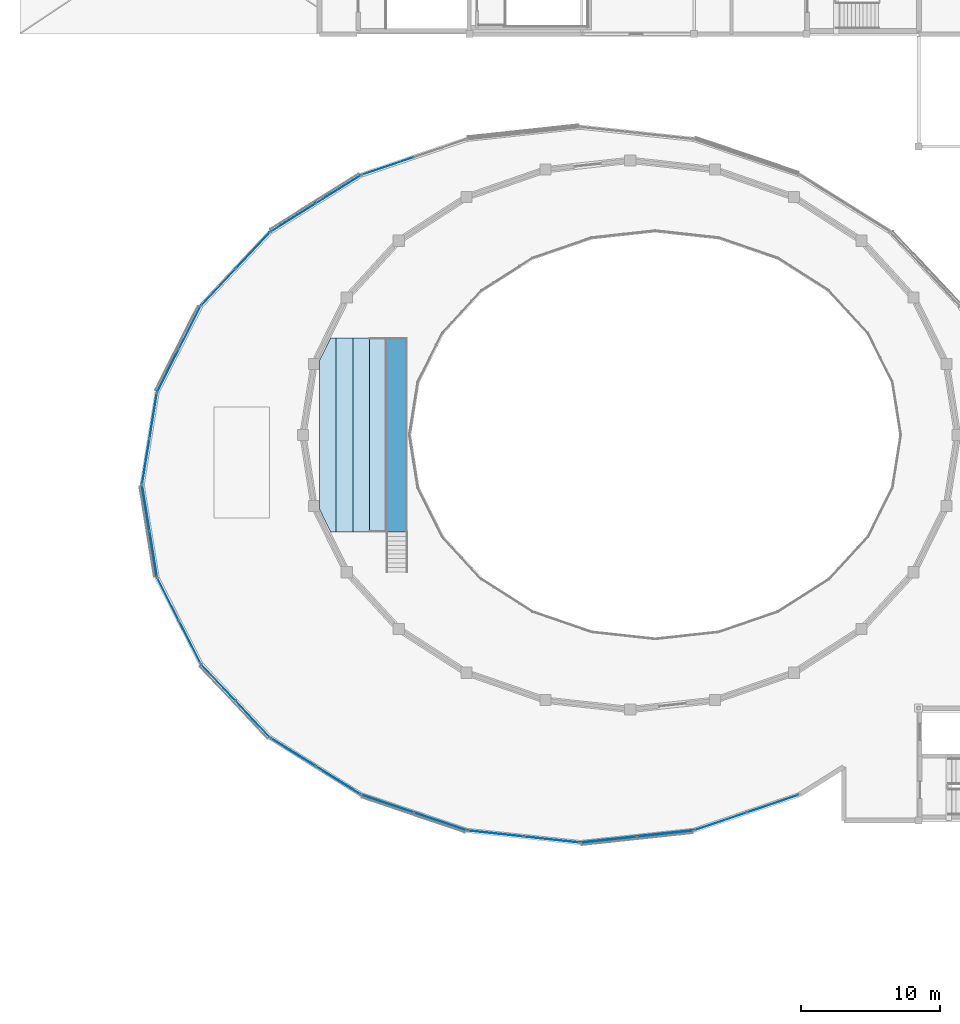
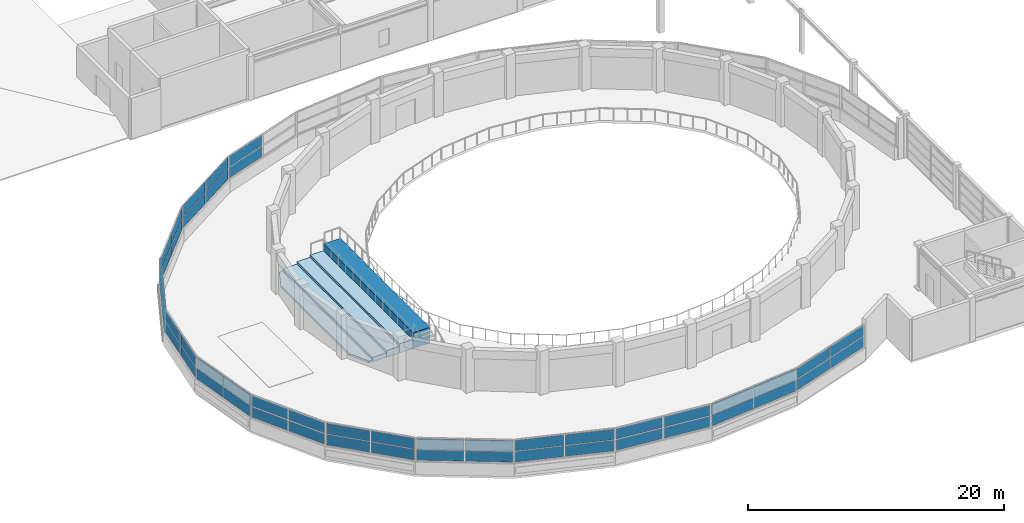
# One storey, part 35 of 54: 50 plates, 5 slabs, 13 elements without a shape of their own.
"""IFC4 building model written with IfcOpenShell, lengths in metres."""

import ifcopenshell
import ifcopenshell.guid

model = None  # the IFC model being written
_history = None  # IfcOwnerHistory: only IFC2X3 demands one
_inside = {}  # id of a spatial element -> (the spatial element, [elements in it])
_under = {}  # id of a project, library or spatial element -> (it, [spatial elements below it])
_declared = {}  # id of a project -> (the project, [libraries it declares])
_typed = {}  # id of a type object -> (the type object, [elements of that type])
_made_of = {}  # id of a material, layer set ... -> (it, [elements and type objects made of it])


def new_model(schema):
    """Start an empty IFC model of exactly this schema.

    Asked for "IFC4X3", IfcOpenShell would pick the latest addendum, in which some entities
    have other attributes; the version numbers below select the first issue.
    IFC2X3 requires an IfcOwnerHistory on every rooted entity: one is made here for all.
    """
    global model, _history
    if schema == "IFC4X3":
        model = ifcopenshell.file(schema_version=(4, 3, 0, 0))
    else:
        model = ifcopenshell.file(schema=schema)
    _inside.clear()
    _under.clear()
    _declared.clear()
    _typed.clear()
    _made_of.clear()
    _history = None
    if model.schema == "IFC2X3":
        org = make("IfcOrganization", Name="unknown")
        user = make(
            "IfcPersonAndOrganization",
            ThePerson=make("IfcPerson", FamilyName="unknown"),
            TheOrganization=org,
        )
        app = make(
            "IfcApplication",
            ApplicationDeveloper=org,
            Version="unknown",
            ApplicationFullName="unknown",
            ApplicationIdentifier="unknown",
        )
        _history = make(
            "IfcOwnerHistory",
            OwningUser=user,
            OwningApplication=app,
            ChangeAction="ADDED",
            CreationDate=0,
        )
    return model


def make(cls, **values):
    """One entity of the class cls with the attributes given. An attribute that is None is left unset."""
    return model.create_entity(
        cls, **{name: value for name, value in values.items() if value is not None}
    )


def rooted(cls, **values):
    """An entity with a GlobalId (a new one), such as an element, a storey or a relation."""
    return make(cls, GlobalId=ifcopenshell.guid.new(), OwnerHistory=_history, **values)


def si_unit(unit_type, name, prefix=None):
    """IfcSIUnit, for example si_unit("LENGTHUNIT", "METRE", prefix="MILLI")."""
    return make("IfcSIUnit", UnitType=unit_type, Prefix=prefix, Name=name)


def assignment(units):
    """IfcUnitAssignment: the units of a project."""
    return None if units is None else make("IfcUnitAssignment", Units=units)


def point(xyz):
    """IfcCartesianPoint."""
    return None if xyz is None else make("IfcCartesianPoint", Coordinates=xyz)


def direction(xyz):
    """IfcDirection."""
    return None if xyz is None else make("IfcDirection", DirectionRatios=xyz)


def frame(location, z_axis=None, x_axis=None):
    """IfcAxis2Placement3D, a coordinate frame: its origin and axes. An axis left out is left unset."""
    return make(
        "IfcAxis2Placement3D",
        Location=point(location),
        Axis=direction(z_axis),
        RefDirection=direction(x_axis),
    )


def frame_2d(location, x_axis=None):
    """IfcAxis2Placement2D, a coordinate frame in the plane: its origin and x axis."""
    return make(
        "IfcAxis2Placement2D", Location=point(location), RefDirection=direction(x_axis)
    )


def origin():
    """The frame at (0, 0, 0) with its axes left unset."""
    return frame((0.0, 0.0, 0.0))


def origin_2d():
    """The frame at (0, 0) in the plane with its x axis left unset."""
    return frame_2d((0.0, 0.0))


def place(relative_to, where):
    """IfcLocalPlacement: puts the frame where relative to a parent placement (None: the world)."""
    return make(
        "IfcLocalPlacement", PlacementRelTo=relative_to, RelativePlacement=where
    )


def context(
    kind, dimensions, precision=None, world=None, true_north=None, identifier=None
):
    """IfcGeometricRepresentationContext, for example the 3D "Model" context."""
    return make(
        "IfcGeometricRepresentationContext",
        ContextIdentifier=identifier,
        ContextType=kind,
        CoordinateSpaceDimension=dimensions,
        Precision=precision,
        WorldCoordinateSystem=world,
        TrueNorth=true_north,
    )


def subcontext(parent, identifier, kind, view, scale=None):
    """IfcGeometricRepresentationSubContext, for example "Body" below "Model"."""
    return make(
        "IfcGeometricRepresentationSubContext",
        ContextIdentifier=identifier,
        ContextType=kind,
        ParentContext=parent,
        TargetScale=scale,
        TargetView=view,
    )


def project(units=None, contexts=None):
    """IfcProject with its units and contexts."""
    return rooted(
        "IfcProject",
        Name="project",
        RepresentationContexts=contexts,
        UnitsInContext=assignment(units),
    )


def spatial(cls, under=None, at=None, **own):
    """A site, building, storey or space (cls), placed at a placement, below another one or the project."""
    s = rooted(cls, ObjectPlacement=at, **own)
    if under is not None:
        _under.setdefault(under.id(), (under, []))[1].append(s)
    return s


def polyline(points):
    """IfcPolyline through the points."""
    return make("IfcPolyline", Points=[point(p) for p in points])


def profile(cls, at=None, kind="AREA", **sizes):
    """A parametric profile (cls). Its sizes go by their IFC names, for example OverallWidth=200.0."""
    return make(cls, ProfileType=kind, Position=at, **sizes)


def rectangle(**sizes):
    """IfcRectangleProfileDef."""
    return profile("IfcRectangleProfileDef", **sizes)


def outline(outer, holes=None, kind="AREA"):
    """IfcArbitraryClosedProfileDef: a profile drawn as a closed curve; with holes, ...WithVoids."""
    if holes is None:
        return make("IfcArbitraryClosedProfileDef", ProfileType=kind, OuterCurve=outer)
    return make(
        "IfcArbitraryProfileDefWithVoids",
        ProfileType=kind,
        OuterCurve=outer,
        InnerCurves=holes,
    )


def extrude(swept, where, along, depth):
    """IfcExtrudedAreaSolid: the profile swept, set in the frame where, extruded along a direction by depth."""
    return make(
        "IfcExtrudedAreaSolid",
        SweptArea=swept,
        Position=where,
        ExtrudedDirection=direction(along),
        Depth=depth,
    )


def shape(context_of_items, identifier, shape_type, items):
    """IfcShapeRepresentation: the items that make up one representation, for example the "Body"."""
    return make(
        "IfcShapeRepresentation",
        ContextOfItems=context_of_items,
        RepresentationIdentifier=identifier,
        RepresentationType=shape_type,
        Items=items,
    )


def material(Name=None, Category=None):
    """IfcMaterial."""
    return make("IfcMaterial", Name=Name, Category=Category)


def layer(
    of_material, thickness, ventilated=None, Name=None, Category=None, Priority=None
):
    """IfcMaterialLayer: one layer of a wall or slab, of a material (None: an air gap)."""
    return make(
        "IfcMaterialLayer",
        Material=of_material,
        LayerThickness=thickness,
        IsVentilated=ventilated,
        Name=Name,
        Category=Category,
        Priority=Priority,
    )


def layer_set(layers, Name=None):
    """IfcMaterialLayerSet."""
    return make("IfcMaterialLayerSet", MaterialLayers=layers, LayerSetName=Name)


def made_of(thing, what):
    """Note that an element or type object is made of a material, layer set ...; save() writes the relation."""
    if what is not None:
        _made_of.setdefault(what.id(), (what, []))[1].append(thing)
    return thing


def type_object(cls, material=None, **own):
    """A type object (cls), such as IfcWallType, which elements share."""
    return made_of(rooted(cls, **own), material)


def element(
    cls,
    number,
    at=None,
    inside=None,
    cuts=None,
    type_object=None,
    material=None,
    context=None,
    identifier="Body",
    shape_type=None,
    held_by="IfcProductDefinitionShape",
    body=None,
    shapes=None,
    **own,
):
    """One element of the class cls, such as IfcWall. Its Tag is "e" and its number.

    at: its placement. inside: the storey or other place that contains it. cuts: it is an
    opening in that element (IfcRelVoidsElement). A single representation is given by context,
    identifier, shape_type and body (its items); several are given by shapes. held_by: the class
    of the entity that holds the representations. save() writes the other relations.
    """
    e = rooted(cls, Tag="e%d" % number, ObjectPlacement=at, **own)
    if body is not None:
        shapes = [shape(context, identifier, shape_type, body)]
    if shapes is not None:
        e.Representation = make(held_by, Representations=shapes)
    if inside is not None:
        _inside.setdefault(inside.id(), (inside, []))[1].append(e)
    if cuts is not None:
        rooted(
            "IfcRelVoidsElement", RelatingBuildingElement=cuts, RelatedOpeningElement=e
        )
    if type_object is not None:
        _typed.setdefault(type_object.id(), (type_object, []))[1].append(e)
    return made_of(e, material)


def aggregate(whole, parts):
    """IfcRelAggregates: a whole, such as a stair, and the parts it consists of."""
    return rooted("IfcRelAggregates", RelatingObject=whole, RelatedObjects=parts)


def save(model, path):
    """Write the relations noted so far, then the file.

    IfcRelAggregates (storeys below a building ...), IfcRelContainedInSpatialStructure (elements
    in a storey), IfcRelDefinesByType, IfcRelAssociatesMaterial and IfcRelDeclares: one each for
    every whole, place, type object, material and project.
    """
    for whole, parts in _under.values():
        aggregate(whole, parts)
    for where, things in _inside.values():
        rooted(
            "IfcRelContainedInSpatialStructure",
            RelatedElements=things,
            RelatingStructure=where,
        )
    for kind, things in _typed.values():
        rooted("IfcRelDefinesByType", RelatedObjects=things, RelatingType=kind)
    for what, things in _made_of.values():
        rooted("IfcRelAssociatesMaterial", RelatedObjects=things, RelatingMaterial=what)
    for by, libraries in _declared.values():
        rooted("IfcRelDeclares", RelatingContext=by, RelatedDefinitions=libraries)
    model.write(path)


model = new_model("IFC4")

# Units and contexts
model_context = context("Model", 3, precision=1e-05, world=origin(), true_north=direction((0.0, 1.0)))
body_context = subcontext(model_context, "Body", "Model", "MODEL_VIEW")
ifc_project = project(units=[si_unit("LENGTHUNIT", "METRE"), si_unit("AREAUNIT", "SQUARE_METRE"), si_unit("VOLUMEUNIT", "CUBIC_METRE"), si_unit("PLANEANGLEUNIT", "RADIAN"), si_unit("MASSUNIT", "GRAM", prefix="KILO")], contexts=[model_context])

# Site, building, storey
site_placement = place(None, origin())
site = spatial("IfcSite", under=ifc_project, at=site_placement, CompositionType="ELEMENT")
building_placement = place(site_placement, origin())
building = spatial("IfcBuilding", under=site, at=building_placement, Name="Parian Resonance Hall", CompositionType="ELEMENT")
storey_placement = place(building_placement, frame((0.0, 0.0, 15.0)))
storey = spatial("IfcBuildingStorey", under=building, at=storey_placement, Name="L03", CompositionType="ELEMENT", Elevation=15.0)

# Curtain wall, plates
ifc_material_1 = material(Name="Bronze-anodised aluminium frame", Category="aluminium")
curtain_wall_type_1 = type_object("IfcCurtainWallType", Name="CW-SYS-04", PredefinedType="NOTDEFINED", material=ifc_material_1)
curtain_wall_1_placement = place(storey_placement, origin())
curtain_wall_1 = element("IfcCurtainWall", 1, at=curtain_wall_1_placement, inside=storey, type_object=curtain_wall_type_1, Name="Elliptical R3 recessed strip curtain wall 08", PredefinedType="NOTDEFINED")
ifc_material_2 = material(Name="Acoustic laminated double glazing", Category="glass")
ifc_layer_1 = layer(ifc_material_2, 0.02197265625)
ifc_layer_set_1 = layer_set([ifc_layer_1], Name="Acoustic laminated double glazing")
plate_type_1 = type_object("IfcPlateType", Name="CWP-IGU22", PredefinedType="CURTAIN_PANEL", material=ifc_layer_set_1)
plate_1_placement = place(storey_placement, frame((26.523193359375, 63.393798828125, 1.266845703125), z_axis=(0.0, 0.0, 1.0), x_axis=(0.947295844239, 0.320360084104, 0.0)))
plate_1 = element("IfcPlate", 2, at=plate_1_placement, type_object=plate_type_1, Name="CW-04 panel 1.1", PredefinedType="CURTAIN_PANEL", context=body_context, shape_type="SweptSolid", body=[
    extrude(rectangle(XDim=3.91015625, YDim=0.02197265625, at=origin_2d()), origin(), (0.0, 0.0, 1.0), 0.99560546875),
])
plate_2_placement = place(storey_placement, frame((26.523193359375, 63.393798828125, 2.33740234375), z_axis=(0.0, 0.0, 1.0), x_axis=(0.947295844239, 0.320360084104, 0.0)))
plate_2 = element("IfcPlate", 3, at=plate_2_placement, type_object=plate_type_1, Name="CW-04 panel 1.2", PredefinedType="CURTAIN_PANEL", context=body_context, shape_type="SweptSolid", body=[
    extrude(rectangle(XDim=3.91015625, YDim=0.02197265625, at=origin_2d()), origin(), (0.0, 0.0, 1.0), 0.99755859375),
])
aggregate(curtain_wall_1, [plate_1, plate_2])

ifc_material_3 = material(Name="Bronze-anodised aluminium frame", Category="aluminium")
curtain_wall_type_2 = type_object("IfcCurtainWallType", Name="CW-SYS-01", PredefinedType="NOTDEFINED", material=ifc_material_3)
curtain_wall_2_placement = place(storey_placement, origin())
curtain_wall_2 = element("IfcCurtainWall", 4, at=curtain_wall_2_placement, inside=storey, type_object=curtain_wall_type_2, Name="Elliptical R3 recessed strip curtain wall 11", PredefinedType="NOTDEFINED")
plate_3_placement = place(storey_placement, frame((10.67333984375, 48.647705078125, 1.2568359375), z_axis=(0.0, 0.0, 1.0), x_axis=(0.452439903839, 0.891794894252, 0.0)))
plate_3 = element("IfcPlate", 5, at=plate_3_placement, type_object=plate_type_1, Name="CW-01 panel 1.1", PredefinedType="CURTAIN_PANEL", context=body_context, shape_type="SweptSolid", body=[
    extrude(rectangle(XDim=3.391357421875, YDim=0.02197265625, at=origin_2d()), origin(), (0.0, 0.0, 1.0), 1.010498046875),
])
plate_4_placement = place(storey_placement, frame((10.67333984375, 48.647705078125, 2.33251953125), z_axis=(0.0, 0.0, 1.0), x_axis=(0.452439903839, 0.891794894252, 0.0)))
plate_4 = element("IfcPlate", 6, at=plate_4_placement, type_object=plate_type_1, Name="CW-01 panel 1.2", PredefinedType="CURTAIN_PANEL", context=body_context, shape_type="SweptSolid", body=[
    extrude(rectangle(XDim=3.391357421875, YDim=0.02197265625, at=origin_2d()), origin(), (0.0, 0.0, 1.0), 1.012451171875),
])
plate_5_placement = place(storey_placement, frame((12.237060546875, 51.72998046875, 1.2568359375), z_axis=(0.0, 0.0, 1.0), x_axis=(0.452439903839, 0.891794894252, 0.0)))
plate_5 = element("IfcPlate", 7, at=plate_5_placement, type_object=plate_type_1, Name="CW-01 panel 2.1", PredefinedType="CURTAIN_PANEL", context=body_context, shape_type="SweptSolid", body=[
    extrude(rectangle(XDim=3.391357421875, YDim=0.02197265625, at=origin_2d()), origin(), (0.0, 0.0, 1.0), 1.010498046875),
])
plate_6_placement = place(storey_placement, frame((12.237060546875, 51.72998046875, 2.33251953125), z_axis=(0.0, 0.0, 1.0), x_axis=(0.452439903839, 0.891794894252, 0.0)))
plate_6 = element("IfcPlate", 8, at=plate_6_placement, type_object=plate_type_1, Name="CW-01 panel 2.2", PredefinedType="CURTAIN_PANEL", context=body_context, shape_type="SweptSolid", body=[
    extrude(rectangle(XDim=3.391357421875, YDim=0.02197265625, at=origin_2d()), origin(), (0.0, 0.0, 1.0), 1.012451171875),
])
aggregate(curtain_wall_2, [plate_3, plate_4, plate_5, plate_6])

curtain_wall_3_placement = place(storey_placement, origin())
curtain_wall_3 = element("IfcCurtainWall", 9, at=curtain_wall_3_placement, inside=storey, type_object=curtain_wall_type_1, Name="Elliptical R3 recessed strip curtain wall 14", PredefinedType="NOTDEFINED")
plate_7_placement = place(storey_placement, frame((12.23583984375, 29.072265625, 1.266845703125), z_axis=(0.0, 0.0, 1.0), x_axis=(-0.452439903839, 0.891794894252, 0.0)))
plate_7 = element("IfcPlate", 10, at=plate_7_placement, type_object=plate_type_1, Name="CW-04 panel 1.1", PredefinedType="CURTAIN_PANEL", context=body_context, shape_type="SweptSolid", body=[
    extrude(rectangle(XDim=3.376220703125, YDim=0.02197265625, at=origin_2d()), origin(), (0.0, 0.0, 1.0), 0.99560546875),
])
plate_8_placement = place(storey_placement, frame((12.23583984375, 29.072265625, 2.33740234375), z_axis=(0.0, 0.0, 1.0), x_axis=(-0.452439903839, 0.891794894252, 0.0)))
plate_8 = element("IfcPlate", 11, at=plate_8_placement, type_object=plate_type_1, Name="CW-04 panel 1.2", PredefinedType="CURTAIN_PANEL", context=body_context, shape_type="SweptSolid", body=[
    extrude(rectangle(XDim=3.376220703125, YDim=0.02197265625, at=origin_2d()), origin(), (0.0, 0.0, 1.0), 0.99755859375),
])
plate_9_placement = place(storey_placement, frame((10.67431640625, 32.150146484375, 1.266845703125), z_axis=(0.0, 0.0, 1.0), x_axis=(-0.452439903839, 0.891794894252, 0.0)))
plate_9 = element("IfcPlate", 12, at=plate_9_placement, type_object=plate_type_1, Name="CW-04 panel 2.1", PredefinedType="CURTAIN_PANEL", context=body_context, shape_type="SweptSolid", body=[
    extrude(rectangle(XDim=3.376220703125, YDim=0.02197265625, at=origin_2d()), origin(), (0.0, 0.0, 1.0), 0.99560546875),
])
plate_10_placement = place(storey_placement, frame((10.67431640625, 32.150146484375, 2.33740234375), z_axis=(0.0, 0.0, 1.0), x_axis=(-0.452439903839, 0.891794894252, 0.0)))
plate_10 = element("IfcPlate", 13, at=plate_10_placement, type_object=plate_type_1, Name="CW-04 panel 2.2", PredefinedType="CURTAIN_PANEL", context=body_context, shape_type="SweptSolid", body=[
    extrude(rectangle(XDim=3.376220703125, YDim=0.02197265625, at=origin_2d()), origin(), (0.0, 0.0, 1.0), 0.99755859375),
])
aggregate(curtain_wall_3, [plate_7, plate_8, plate_9, plate_10])

curtain_wall_4_placement = place(storey_placement, origin())
curtain_wall_4 = element("IfcCurtainWall", 14, at=curtain_wall_4_placement, inside=storey, type_object=curtain_wall_type_2, Name="Elliptical R3 recessed strip curtain wall 17", PredefinedType="NOTDEFINED")
plate_11_placement = place(storey_placement, frame((30.300537109375, 16.128662109375, 1.2568359375), z_axis=(0.0, 0.0, 1.0), x_axis=(-0.947295844239, 0.320360084104, 0.0)))
plate_11 = element("IfcPlate", 15, at=plate_11_placement, type_object=plate_type_1, Name="CW-01 panel 1.1", PredefinedType="CURTAIN_PANEL", context=body_context, shape_type="SweptSolid", body=[
    extrude(rectangle(XDim=3.925048828125, YDim=0.02197265625, at=origin_2d()), origin(), (0.0, 0.0, 1.0), 1.010498046875),
])
plate_12_placement = place(storey_placement, frame((30.300537109375, 16.128662109375, 2.33251953125), z_axis=(0.0, 0.0, 1.0), x_axis=(-0.947295844239, 0.320360084104, 0.0)))
plate_12 = element("IfcPlate", 16, at=plate_12_placement, type_object=plate_type_1, Name="CW-01 panel 1.2", PredefinedType="CURTAIN_PANEL", context=body_context, shape_type="SweptSolid", body=[
    extrude(rectangle(XDim=3.925048828125, YDim=0.02197265625, at=origin_2d()), origin(), (0.0, 0.0, 1.0), 1.012451171875),
])
plate_13_placement = place(storey_placement, frame((26.520751953125, 17.406982421875, 1.2568359375), z_axis=(0.0, 0.0, 1.0), x_axis=(-0.947295844239, 0.320360084104, 0.0)))
plate_13 = element("IfcPlate", 17, at=plate_13_placement, type_object=plate_type_1, Name="CW-01 panel 2.1", PredefinedType="CURTAIN_PANEL", context=body_context, shape_type="SweptSolid", body=[
    extrude(rectangle(XDim=3.925048828125, YDim=0.02197265625, at=origin_2d()), origin(), (0.0, 0.0, 1.0), 1.010498046875),
])
plate_14_placement = place(storey_placement, frame((26.520751953125, 17.406982421875, 2.33251953125), z_axis=(0.0, 0.0, 1.0), x_axis=(-0.947295844239, 0.320360084104, 0.0)))
plate_14 = element("IfcPlate", 18, at=plate_14_placement, type_object=plate_type_1, Name="CW-01 panel 2.2", PredefinedType="CURTAIN_PANEL", context=body_context, shape_type="SweptSolid", body=[
    extrude(rectangle(XDim=3.925048828125, YDim=0.02197265625, at=origin_2d()), origin(), (0.0, 0.0, 1.0), 1.012451171875),
])
aggregate(curtain_wall_4, [plate_11, plate_12, plate_13, plate_14])

curtain_wall_5_placement = place(storey_placement, origin())
curtain_wall_5 = element("IfcCurtainWall", 19, at=curtain_wall_5_placement, inside=storey, type_object=curtain_wall_type_1, Name="Elliptical R3 recessed strip curtain wall 20", PredefinedType="NOTDEFINED")
plate_15_placement = place(storey_placement, frame((54.27685546875, 17.40625, 1.266845703125), z_axis=(0.0, 0.0, 1.0), x_axis=(-0.947295844239, -0.320360084104, 0.0)))
plate_15 = element("IfcPlate", 20, at=plate_15_placement, type_object=plate_type_1, Name="CW-04 panel 1.1", PredefinedType="CURTAIN_PANEL", context=body_context, shape_type="SweptSolid", body=[
    extrude(rectangle(XDim=3.91015625, YDim=0.02197265625, at=origin_2d()), origin(), (0.0, 0.0, 1.0), 0.99560546875),
])
plate_16_placement = place(storey_placement, frame((54.27685546875, 17.40625, 2.33740234375), z_axis=(0.0, 0.0, 1.0), x_axis=(-0.947295844239, -0.320360084104, 0.0)))
plate_16 = element("IfcPlate", 21, at=plate_16_placement, type_object=plate_type_1, Name="CW-04 panel 1.2", PredefinedType="CURTAIN_PANEL", context=body_context, shape_type="SweptSolid", body=[
    extrude(rectangle(XDim=3.91015625, YDim=0.02197265625, at=origin_2d()), origin(), (0.0, 0.0, 1.0), 0.99755859375),
])
plate_17_placement = place(storey_placement, frame((50.501708984375, 16.12939453125, 1.266845703125), z_axis=(0.0, 0.0, 1.0), x_axis=(-0.947295844239, -0.320360084104, 0.0)))
plate_17 = element("IfcPlate", 22, at=plate_17_placement, type_object=plate_type_1, Name="CW-04 panel 2.1", PredefinedType="CURTAIN_PANEL", context=body_context, shape_type="SweptSolid", body=[
    extrude(rectangle(XDim=3.91015625, YDim=0.02197265625, at=origin_2d()), origin(), (0.0, 0.0, 1.0), 0.99560546875),
])
plate_18_placement = place(storey_placement, frame((50.501708984375, 16.12939453125, 2.33740234375), z_axis=(0.0, 0.0, 1.0), x_axis=(-0.947295844239, -0.320360084104, 0.0)))
plate_18 = element("IfcPlate", 23, at=plate_18_placement, type_object=plate_type_1, Name="CW-04 panel 2.2", PredefinedType="CURTAIN_PANEL", context=body_context, shape_type="SweptSolid", body=[
    extrude(rectangle(XDim=3.91015625, YDim=0.02197265625, at=origin_2d()), origin(), (0.0, 0.0, 1.0), 0.99755859375),
])
aggregate(curtain_wall_5, [plate_15, plate_16, plate_17, plate_18])

ifc_material_4 = material(Name="Bronze-anodised aluminium frame", Category="aluminium")
curtain_wall_type_3 = type_object("IfcCurtainWallType", Name="CW-SYS-05", PredefinedType="NOTDEFINED", material=ifc_material_4)
curtain_wall_6_placement = place(storey_placement, origin())
curtain_wall_6 = element("IfcCurtainWall", 24, at=curtain_wall_6_placement, inside=storey, type_object=curtain_wall_type_3, Name="Elliptical R3 recessed strip curtain wall 09", PredefinedType="NOTDEFINED")
ifc_material_5 = material(Name="Acoustic laminated double glazing", Category="glass")
ifc_layer_2 = layer(ifc_material_5, 0.031982421875)
ifc_layer_set_2 = layer_set([ifc_layer_2], Name="Acoustic laminated double glazing")
plate_type_2 = type_object("IfcPlateType", Name="CWP-IGU32", PredefinedType="CURTAIN_PANEL", material=ifc_layer_set_2)
plate_19_placement = place(storey_placement, frame((19.705322265625, 59.677001953125, 1.2568359375), z_axis=(0.0, 0.0, 1.0), x_axis=(0.847431866337, 0.530904164532, 0.0)))
plate_19 = element("IfcPlate", 25, at=plate_19_placement, type_object=plate_type_2, Name="CW-05 panel 1.1", PredefinedType="CURTAIN_PANEL", context=body_context, shape_type="SweptSolid", body=[
    extrude(rectangle(XDim=3.763916015625, YDim=0.031982421875, at=origin_2d()), origin(), (0.0, 0.0, 1.0), 1.010498046875),
])
plate_20_placement = place(storey_placement, frame((19.705322265625, 59.677001953125, 2.33251953125), z_axis=(0.0, 0.0, 1.0), x_axis=(0.847431866337, 0.530904164532, 0.0)))
plate_20 = element("IfcPlate", 26, at=plate_20_placement, type_object=plate_type_2, Name="CW-05 panel 1.2", PredefinedType="CURTAIN_PANEL", context=body_context, shape_type="SweptSolid", body=[
    extrude(rectangle(XDim=3.763916015625, YDim=0.031982421875, at=origin_2d()), origin(), (0.0, 0.0, 1.0), 1.012451171875),
])
plate_21_placement = place(storey_placement, frame((22.9501953125, 61.7099609375, 1.2568359375), z_axis=(0.0, 0.0, 1.0), x_axis=(0.847431866337, 0.530904164532, 0.0)))
plate_21 = element("IfcPlate", 27, at=plate_21_placement, type_object=plate_type_2, Name="CW-05 panel 2.1", PredefinedType="CURTAIN_PANEL", context=body_context, shape_type="SweptSolid", body=[
    extrude(rectangle(XDim=3.763916015625, YDim=0.031982421875, at=origin_2d()), origin(), (0.0, 0.0, 1.0), 1.010498046875),
])
plate_22_placement = place(storey_placement, frame((22.9501953125, 61.7099609375, 2.33251953125), z_axis=(0.0, 0.0, 1.0), x_axis=(0.847431866337, 0.530904164532, 0.0)))
plate_22 = element("IfcPlate", 28, at=plate_22_placement, type_object=plate_type_2, Name="CW-05 panel 2.2", PredefinedType="CURTAIN_PANEL", context=body_context, shape_type="SweptSolid", body=[
    extrude(rectangle(XDim=3.763916015625, YDim=0.031982421875, at=origin_2d()), origin(), (0.0, 0.0, 1.0), 1.012451171875),
])
aggregate(curtain_wall_6, [plate_19, plate_20, plate_21, plate_22])

ifc_material_6 = material(Name="Bronze-anodised aluminium frame", Category="aluminium")
curtain_wall_type_4 = type_object("IfcCurtainWallType", Name="CW-SYS-02", PredefinedType="NOTDEFINED", material=ifc_material_6)
curtain_wall_7_placement = place(storey_placement, origin())
curtain_wall_7 = element("IfcCurtainWall", 29, at=curtain_wall_7_placement, inside=storey, type_object=curtain_wall_type_4, Name="Elliptical R3 recessed strip curtain wall 12", PredefinedType="NOTDEFINED")
plate_23_placement = place(storey_placement, frame((9.072265625, 42.087890625, 1.266845703125), z_axis=(0.0, 0.0, 1.0), x_axis=(0.159186884981, 0.987248467028, 0.0)))
plate_23 = element("IfcPlate", 30, at=plate_23_placement, type_object=plate_type_2, Name="CW-02 panel 1.1", PredefinedType="CURTAIN_PANEL", context=body_context, shape_type="SweptSolid", body=[
    extrude(rectangle(XDim=3.269287109375, YDim=0.031982421875, at=origin_2d()), origin(), (0.0, 0.0, 1.0), 0.99560546875),
])
plate_24_placement = place(storey_placement, frame((9.072265625, 42.087890625, 2.33740234375), z_axis=(0.0, 0.0, 1.0), x_axis=(0.159186884981, 0.987248467028, 0.0)))
plate_24 = element("IfcPlate", 31, at=plate_24_placement, type_object=plate_type_2, Name="CW-02 panel 1.2", PredefinedType="CURTAIN_PANEL", context=body_context, shape_type="SweptSolid", body=[
    extrude(rectangle(XDim=3.269287109375, YDim=0.031982421875, at=origin_2d()), origin(), (0.0, 0.0, 1.0), 0.99755859375),
])
plate_25_placement = place(storey_placement, frame((9.6044921875, 45.3896484375, 1.266845703125), z_axis=(0.0, 0.0, 1.0), x_axis=(0.159186884981, 0.987248467028, 0.0)))
plate_25 = element("IfcPlate", 32, at=plate_25_placement, type_object=plate_type_2, Name="CW-02 panel 2.1", PredefinedType="CURTAIN_PANEL", context=body_context, shape_type="SweptSolid", body=[
    extrude(rectangle(XDim=3.269287109375, YDim=0.031982421875, at=origin_2d()), origin(), (0.0, 0.0, 1.0), 0.99560546875),
])
plate_26_placement = place(storey_placement, frame((9.6044921875, 45.3896484375, 2.33740234375), z_axis=(0.0, 0.0, 1.0), x_axis=(0.159186884981, 0.987248467028, 0.0)))
plate_26 = element("IfcPlate", 33, at=plate_26_placement, type_object=plate_type_2, Name="CW-02 panel 2.2", PredefinedType="CURTAIN_PANEL", context=body_context, shape_type="SweptSolid", body=[
    extrude(rectangle(XDim=3.269287109375, YDim=0.031982421875, at=origin_2d()), origin(), (0.0, 0.0, 1.0), 0.99755859375),
])
aggregate(curtain_wall_7, [plate_23, plate_24, plate_25, plate_26])

curtain_wall_8_placement = place(storey_placement, origin())
curtain_wall_8 = element("IfcCurtainWall", 34, at=curtain_wall_8_placement, inside=storey, type_object=curtain_wall_type_3, Name="Elliptical R3 recessed strip curtain wall 15", PredefinedType="NOTDEFINED")
plate_27_placement = place(storey_placement, frame((16.788818359375, 23.50439453125, 1.2568359375), z_axis=(0.0, 0.0, 1.0), x_axis=(-0.684837894829, 0.728695449283, 0.0)))
plate_27 = element("IfcPlate", 35, at=plate_27_placement, type_object=plate_type_2, Name="CW-05 panel 1.1", PredefinedType="CURTAIN_PANEL", context=body_context, shape_type="SweptSolid", body=[
    extrude(rectangle(XDim=3.56884765625, YDim=0.031982421875, at=origin_2d()), origin(), (0.0, 0.0, 1.0), 1.010498046875),
])
plate_28_placement = place(storey_placement, frame((16.788818359375, 23.50439453125, 2.33251953125), z_axis=(0.0, 0.0, 1.0), x_axis=(-0.684837894829, 0.728695449283, 0.0)))
plate_28 = element("IfcPlate", 36, at=plate_28_placement, type_object=plate_type_2, Name="CW-05 panel 1.2", PredefinedType="CURTAIN_PANEL", context=body_context, shape_type="SweptSolid", body=[
    extrude(rectangle(XDim=3.56884765625, YDim=0.031982421875, at=origin_2d()), origin(), (0.0, 0.0, 1.0), 1.012451171875),
])
plate_29_placement = place(storey_placement, frame((14.30029296875, 26.15234375, 1.2568359375), z_axis=(0.0, 0.0, 1.0), x_axis=(-0.684837894829, 0.728695449283, 0.0)))
plate_29 = element("IfcPlate", 37, at=plate_29_placement, type_object=plate_type_2, Name="CW-05 panel 2.1", PredefinedType="CURTAIN_PANEL", context=body_context, shape_type="SweptSolid", body=[
    extrude(rectangle(XDim=3.56884765625, YDim=0.031982421875, at=origin_2d()), origin(), (0.0, 0.0, 1.0), 1.010498046875),
])
plate_30_placement = place(storey_placement, frame((14.30029296875, 26.15234375, 2.33251953125), z_axis=(0.0, 0.0, 1.0), x_axis=(-0.684837894829, 0.728695449283, 0.0)))
plate_30 = element("IfcPlate", 38, at=plate_30_placement, type_object=plate_type_2, Name="CW-05 panel 2.2", PredefinedType="CURTAIN_PANEL", context=body_context, shape_type="SweptSolid", body=[
    extrude(rectangle(XDim=3.56884765625, YDim=0.031982421875, at=origin_2d()), origin(), (0.0, 0.0, 1.0), 1.012451171875),
])
aggregate(curtain_wall_8, [plate_27, plate_28, plate_29, plate_30])

curtain_wall_9_placement = place(storey_placement, origin())
curtain_wall_9 = element("IfcCurtainWall", 39, at=curtain_wall_9_placement, inside=storey, type_object=curtain_wall_type_4, Name="Elliptical R3 recessed strip curtain wall 18", PredefinedType="NOTDEFINED")
plate_31_placement = place(storey_placement, frame((38.336669921875, 14.82177734375, 1.266845703125), z_axis=(0.0, 0.0, 1.0), x_axis=(-0.994272901904, 0.106870934025, 0.0)))
plate_31 = element("IfcPlate", 40, at=plate_31_placement, type_object=plate_type_2, Name="CW-02 panel 1.1", PredefinedType="CURTAIN_PANEL", context=body_context, shape_type="SweptSolid", body=[
    extrude(rectangle(XDim=4.00048828125, YDim=0.031982421875, at=origin_2d()), origin(), (0.0, 0.0, 1.0), 0.99560546875),
])
plate_32_placement = place(storey_placement, frame((38.336669921875, 14.82177734375, 2.33740234375), z_axis=(0.0, 0.0, 1.0), x_axis=(-0.994272901904, 0.106870934025, 0.0)))
plate_32 = element("IfcPlate", 41, at=plate_32_placement, type_object=plate_type_2, Name="CW-02 panel 1.2", PredefinedType="CURTAIN_PANEL", context=body_context, shape_type="SweptSolid", body=[
    extrude(rectangle(XDim=4.00048828125, YDim=0.031982421875, at=origin_2d()), origin(), (0.0, 0.0, 1.0), 0.99755859375),
])
plate_33_placement = place(storey_placement, frame((34.28466796875, 15.25732421875, 1.266845703125), z_axis=(0.0, 0.0, 1.0), x_axis=(-0.994272901904, 0.106870934025, 0.0)))
plate_33 = element("IfcPlate", 42, at=plate_33_placement, type_object=plate_type_2, Name="CW-02 panel 2.1", PredefinedType="CURTAIN_PANEL", context=body_context, shape_type="SweptSolid", body=[
    extrude(rectangle(XDim=4.00048828125, YDim=0.031982421875, at=origin_2d()), origin(), (0.0, 0.0, 1.0), 0.99560546875),
])
plate_34_placement = place(storey_placement, frame((34.28466796875, 15.25732421875, 2.33740234375), z_axis=(0.0, 0.0, 1.0), x_axis=(-0.994272901904, 0.106870934025, 0.0)))
plate_34 = element("IfcPlate", 43, at=plate_34_placement, type_object=plate_type_2, Name="CW-02 panel 2.2", PredefinedType="CURTAIN_PANEL", context=body_context, shape_type="SweptSolid", body=[
    extrude(rectangle(XDim=4.00048828125, YDim=0.031982421875, at=origin_2d()), origin(), (0.0, 0.0, 1.0), 0.99755859375),
])
aggregate(curtain_wall_9, [plate_31, plate_32, plate_33, plate_34])

ifc_material_7 = material(Name="Bronze-anodised aluminium frame", Category="aluminium")
curtain_wall_type_5 = type_object("IfcCurtainWallType", Name="CW-SYS-06", PredefinedType="NOTDEFINED", material=ifc_material_7)
curtain_wall_10_placement = place(storey_placement, origin())
curtain_wall_10 = element("IfcCurtainWall", 44, at=curtain_wall_10_placement, inside=storey, type_object=curtain_wall_type_5, Name="Elliptical R3 recessed strip curtain wall 10", PredefinedType="NOTDEFINED")
ifc_material_8 = material(Name="Acoustic laminated double glazing", Category="glass")
ifc_layer_3 = layer(ifc_material_8, 0.0419921875)
ifc_layer_set_3 = layer_set([ifc_layer_3], Name="Acoustic laminated double glazing")
plate_type_3 = type_object("IfcPlateType", Name="CWP-IGU42", PredefinedType="CURTAIN_PANEL", material=ifc_layer_set_3)
plate_35_placement = place(storey_placement, frame((14.302001953125, 54.6494140625, 1.266845703125), z_axis=(0.0, 0.0, 1.0), x_axis=(0.684837894829, 0.728695449283, 0.0)))
plate_35 = element("IfcPlate", 45, at=plate_35_placement, type_object=plate_type_3, Name="CW-06 panel 1.1", PredefinedType="CURTAIN_PANEL", context=body_context, shape_type="SweptSolid", body=[
    extrude(rectangle(XDim=3.553955078125, YDim=0.0419921875, at=origin_2d()), origin(), (0.0, 0.0, 1.0), 0.99560546875),
])
plate_36_placement = place(storey_placement, frame((14.302001953125, 54.6494140625, 2.33740234375), z_axis=(0.0, 0.0, 1.0), x_axis=(0.684837894829, 0.728695449283, 0.0)))
plate_36 = element("IfcPlate", 46, at=plate_36_placement, type_object=plate_type_3, Name="CW-06 panel 1.2", PredefinedType="CURTAIN_PANEL", context=body_context, shape_type="SweptSolid", body=[
    extrude(rectangle(XDim=3.553955078125, YDim=0.0419921875, at=origin_2d()), origin(), (0.0, 0.0, 1.0), 0.99755859375),
])
plate_37_placement = place(storey_placement, frame((16.787109375, 57.2939453125, 1.266845703125), z_axis=(0.0, 0.0, 1.0), x_axis=(0.684837894829, 0.728695449283, 0.0)))
plate_37 = element("IfcPlate", 47, at=plate_37_placement, type_object=plate_type_3, Name="CW-06 panel 2.1", PredefinedType="CURTAIN_PANEL", context=body_context, shape_type="SweptSolid", body=[
    extrude(rectangle(XDim=3.553955078125, YDim=0.0419921875, at=origin_2d()), origin(), (0.0, 0.0, 1.0), 0.99560546875),
])
plate_38_placement = place(storey_placement, frame((16.787109375, 57.2939453125, 2.33740234375), z_axis=(0.0, 0.0, 1.0), x_axis=(0.684837894829, 0.728695449283, 0.0)))
plate_38 = element("IfcPlate", 48, at=plate_38_placement, type_object=plate_type_3, Name="CW-06 panel 2.2", PredefinedType="CURTAIN_PANEL", context=body_context, shape_type="SweptSolid", body=[
    extrude(rectangle(XDim=3.553955078125, YDim=0.0419921875, at=origin_2d()), origin(), (0.0, 0.0, 1.0), 0.99755859375),
])
aggregate(curtain_wall_10, [plate_35, plate_36, plate_37, plate_38])

ifc_material_9 = material(Name="Bronze-anodised aluminium frame", Category="aluminium")
curtain_wall_type_6 = type_object("IfcCurtainWallType", Name="CW-SYS-03", PredefinedType="NOTDEFINED", material=ifc_material_9)
curtain_wall_11_placement = place(storey_placement, origin())
curtain_wall_11 = element("IfcCurtainWall", 49, at=curtain_wall_11_placement, inside=storey, type_object=curtain_wall_type_6, Name="Elliptical R3 recessed strip curtain wall 13", PredefinedType="NOTDEFINED")
plate_39_placement = place(storey_placement, frame((9.60498046875, 35.407958984375, 1.2568359375), z_axis=(0.0, 0.0, 1.0), x_axis=(-0.159186884981, 0.987248467028, 0.0)))
plate_39 = element("IfcPlate", 50, at=plate_39_placement, type_object=plate_type_3, Name="CW-03 panel 1.1", PredefinedType="CURTAIN_PANEL", context=body_context, shape_type="SweptSolid", body=[
    extrude(rectangle(XDim=3.284423828125, YDim=0.0419921875, at=origin_2d()), origin(), (0.0, 0.0, 1.0), 1.010498046875),
])
plate_40_placement = place(storey_placement, frame((9.60498046875, 35.407958984375, 2.33251953125), z_axis=(0.0, 0.0, 1.0), x_axis=(-0.159186884981, 0.987248467028, 0.0)))
plate_40 = element("IfcPlate", 51, at=plate_40_placement, type_object=plate_type_3, Name="CW-03 panel 1.2", PredefinedType="CURTAIN_PANEL", context=body_context, shape_type="SweptSolid", body=[
    extrude(rectangle(XDim=3.284423828125, YDim=0.0419921875, at=origin_2d()), origin(), (0.0, 0.0, 1.0), 1.012451171875),
])
plate_41_placement = place(storey_placement, frame((9.07177734375, 38.714599609375, 1.2568359375), z_axis=(0.0, 0.0, 1.0), x_axis=(-0.159186884981, 0.987248467028, 0.0)))
plate_41 = element("IfcPlate", 52, at=plate_41_placement, type_object=plate_type_3, Name="CW-03 panel 2.1", PredefinedType="CURTAIN_PANEL", context=body_context, shape_type="SweptSolid", body=[
    extrude(rectangle(XDim=3.284423828125, YDim=0.0419921875, at=origin_2d()), origin(), (0.0, 0.0, 1.0), 1.010498046875),
])
plate_42_placement = place(storey_placement, frame((9.07177734375, 38.714599609375, 2.33251953125), z_axis=(0.0, 0.0, 1.0), x_axis=(-0.159186884981, 0.987248467028, 0.0)))
plate_42 = element("IfcPlate", 53, at=plate_42_placement, type_object=plate_type_3, Name="CW-03 panel 2.2", PredefinedType="CURTAIN_PANEL", context=body_context, shape_type="SweptSolid", body=[
    extrude(rectangle(XDim=3.284423828125, YDim=0.0419921875, at=origin_2d()), origin(), (0.0, 0.0, 1.0), 1.012451171875),
])
aggregate(curtain_wall_11, [plate_39, plate_40, plate_41, plate_42])

curtain_wall_12_placement = place(storey_placement, origin())
curtain_wall_12 = element("IfcCurtainWall", 54, at=curtain_wall_12_placement, inside=storey, type_object=curtain_wall_type_5, Name="Elliptical R3 recessed strip curtain wall 16", PredefinedType="NOTDEFINED")
plate_43_placement = place(storey_placement, frame((22.947998046875, 19.091552734375, 1.266845703125), z_axis=(0.0, 0.0, 1.0), x_axis=(-0.847431866337, 0.530904164532, 0.0)))
plate_43 = element("IfcPlate", 55, at=plate_43_placement, type_object=plate_type_3, Name="CW-06 panel 1.1", PredefinedType="CURTAIN_PANEL", context=body_context, shape_type="SweptSolid", body=[
    extrude(rectangle(XDim=3.7490234375, YDim=0.0419921875, at=origin_2d()), origin(), (0.0, 0.0, 1.0), 0.99560546875),
])
plate_44_placement = place(storey_placement, frame((22.947998046875, 19.091552734375, 2.33740234375), z_axis=(0.0, 0.0, 1.0), x_axis=(-0.847431866337, 0.530904164532, 0.0)))
plate_44 = element("IfcPlate", 56, at=plate_44_placement, type_object=plate_type_3, Name="CW-06 panel 1.2", PredefinedType="CURTAIN_PANEL", context=body_context, shape_type="SweptSolid", body=[
    extrude(rectangle(XDim=3.7490234375, YDim=0.0419921875, at=origin_2d()), origin(), (0.0, 0.0, 1.0), 0.99755859375),
])
plate_45_placement = place(storey_placement, frame((19.70751953125, 21.12158203125, 1.266845703125), z_axis=(0.0, 0.0, 1.0), x_axis=(-0.847431866337, 0.530904164532, 0.0)))
plate_45 = element("IfcPlate", 57, at=plate_45_placement, type_object=plate_type_3, Name="CW-06 panel 2.1", PredefinedType="CURTAIN_PANEL", context=body_context, shape_type="SweptSolid", body=[
    extrude(rectangle(XDim=3.7490234375, YDim=0.0419921875, at=origin_2d()), origin(), (0.0, 0.0, 1.0), 0.99560546875),
])
plate_46_placement = place(storey_placement, frame((19.70751953125, 21.12158203125, 2.33740234375), z_axis=(0.0, 0.0, 1.0), x_axis=(-0.847431866337, 0.530904164532, 0.0)))
plate_46 = element("IfcPlate", 58, at=plate_46_placement, type_object=plate_type_3, Name="CW-06 panel 2.2", PredefinedType="CURTAIN_PANEL", context=body_context, shape_type="SweptSolid", body=[
    extrude(rectangle(XDim=3.7490234375, YDim=0.0419921875, at=origin_2d()), origin(), (0.0, 0.0, 1.0), 0.99755859375),
])
aggregate(curtain_wall_12, [plate_43, plate_44, plate_45, plate_46])

curtain_wall_13_placement = place(storey_placement, origin())
curtain_wall_13 = element("IfcCurtainWall", 59, at=curtain_wall_13_placement, inside=storey, type_object=curtain_wall_type_6, Name="Elliptical R3 recessed strip curtain wall 19", PredefinedType="NOTDEFINED")
plate_47_placement = place(storey_placement, frame((46.517822265625, 15.257568359375, 1.2568359375), z_axis=(0.0, 0.0, 1.0), x_axis=(-0.994272901904, -0.106870934025, 0.0)))
plate_47 = element("IfcPlate", 60, at=plate_47_placement, type_object=plate_type_3, Name="CW-03 panel 1.1", PredefinedType="CURTAIN_PANEL", context=body_context, shape_type="SweptSolid", body=[
    extrude(rectangle(XDim=4.015380859375, YDim=0.0419921875, at=origin_2d()), origin(), (0.0, 0.0, 1.0), 1.010498046875),
])
plate_48_placement = place(storey_placement, frame((46.517822265625, 15.257568359375, 2.33251953125), z_axis=(0.0, 0.0, 1.0), x_axis=(-0.994272901904, -0.106870934025, 0.0)))
plate_48 = element("IfcPlate", 61, at=plate_48_placement, type_object=plate_type_3, Name="CW-03 panel 1.2", PredefinedType="CURTAIN_PANEL", context=body_context, shape_type="SweptSolid", body=[
    extrude(rectangle(XDim=4.015380859375, YDim=0.0419921875, at=origin_2d()), origin(), (0.0, 0.0, 1.0), 1.012451171875),
])
plate_49_placement = place(storey_placement, frame((42.4609375, 14.821533203125, 1.2568359375), z_axis=(0.0, 0.0, 1.0), x_axis=(-0.994272901904, -0.106870934025, 0.0)))
plate_49 = element("IfcPlate", 62, at=plate_49_placement, type_object=plate_type_3, Name="CW-03 panel 2.1", PredefinedType="CURTAIN_PANEL", context=body_context, shape_type="SweptSolid", body=[
    extrude(rectangle(XDim=4.015380859375, YDim=0.0419921875, at=origin_2d()), origin(), (0.0, 0.0, 1.0), 1.010498046875),
])
plate_50_placement = place(storey_placement, frame((42.4609375, 14.821533203125, 2.33251953125), z_axis=(0.0, 0.0, 1.0), x_axis=(-0.994272901904, -0.106870934025, 0.0)))
plate_50 = element("IfcPlate", 63, at=plate_50_placement, type_object=plate_type_3, Name="CW-03 panel 2.2", PredefinedType="CURTAIN_PANEL", context=body_context, shape_type="SweptSolid", body=[
    extrude(rectangle(XDim=4.015380859375, YDim=0.0419921875, at=origin_2d()), origin(), (0.0, 0.0, 1.0), 1.012451171875),
])
aggregate(curtain_wall_13, [plate_47, plate_48, plate_49, plate_50])

# Slabs
ifc_material_10 = material(Name="Concrete C35/45", Category="concrete")
ifc_layer_4 = layer(ifc_material_10, 1.5)
ifc_layer_set_4 = layer_set([ifc_layer_4], Name="Concrete C35/45")
slab_type_1 = type_object("IfcSlabType", Name="SLB-TIER-1500", PredefinedType="USERDEFINED", material=ifc_layer_set_4)
slab_1_placement = place(storey_placement, origin())
element("IfcSlab", 64, at=slab_1_placement, inside=storey, type_object=slab_type_1, Name="Dress circle seating tier 5", ObjectType="SEATING TIER", PredefinedType="USERDEFINED", context=body_context, shape_type="SweptSolid", body=[
    extrude(outline(polyline([(26.419921875, 37.0), (27.93994140625, 37.0), (27.93994140625, 51.0), (26.419921875, 51.0), (26.419921875, 37.0)])), origin(), (0.0, 0.0, 1.0), 1.5),
])
ifc_material_11 = material(Name="Concrete C35/45", Category="concrete")
ifc_layer_5 = layer(ifc_material_11, 0.2099609375)
ifc_layer_set_5 = layer_set([ifc_layer_5], Name="Concrete C35/45")
slab_type_2 = type_object("IfcSlabType", Name="SLB-TIER-210", PredefinedType="USERDEFINED", material=ifc_layer_set_5)
slab_2_placement = place(storey_placement, origin())
element("IfcSlab", 65, at=slab_2_placement, inside=storey, type_object=slab_type_2, Name="Dress circle seating tier 1", ObjectType="SEATING TIER", PredefinedType="USERDEFINED", context=body_context, shape_type="SweptSolid", body=[
    extrude(outline(polyline([(22.408935546875, 51.0), (21.60009765625, 49.361572265625), (21.60009765625, 38.638427734375), (22.408935546875, 37.0), (22.800048828125, 37.0), (22.800048828125, 51.0), (22.408935546875, 51.0)])), origin(), (0.0, 0.0, 1.0), 0.2099609375),
])
ifc_material_12 = material(Name="Concrete C35/45", Category="concrete")
ifc_layer_6 = layer(ifc_material_12, 0.429931640625)
ifc_layer_set_6 = layer_set([ifc_layer_6], Name="Concrete C35/45")
slab_type_3 = type_object("IfcSlabType", Name="SLB-TIER-430", PredefinedType="USERDEFINED", material=ifc_layer_set_6)
slab_3_placement = place(storey_placement, origin())
element("IfcSlab", 66, at=slab_3_placement, inside=storey, type_object=slab_type_3, Name="Dress circle seating tier 2", ObjectType="SEATING TIER", PredefinedType="USERDEFINED", context=body_context, shape_type="SweptSolid", body=[
    extrude(outline(polyline([(22.739990234375, 37.0), (24.0, 37.0), (24.0, 51.0), (22.739990234375, 51.0), (22.739990234375, 37.0)])), origin(), (0.0, 0.0, 1.0), 0.429931640625),
])
ifc_material_13 = material(Name="Concrete C35/45", Category="concrete")
ifc_layer_7 = layer(ifc_material_13, 0.64990234375)
ifc_layer_set_7 = layer_set([ifc_layer_7], Name="Concrete C35/45")
slab_type_4 = type_object("IfcSlabType", Name="SLB-TIER-650", PredefinedType="USERDEFINED", material=ifc_layer_set_7)
slab_4_placement = place(storey_placement, origin())
element("IfcSlab", 67, at=slab_4_placement, inside=storey, type_object=slab_type_4, Name="Dress circle seating tier 3", ObjectType="SEATING TIER", PredefinedType="USERDEFINED", context=body_context, shape_type="SweptSolid", body=[
    extrude(outline(polyline([(24.0, 37.0), (25.199951171875, 37.0), (25.199951171875, 51.0), (24.0, 51.0), (24.0, 37.0)])), origin(), (0.0, 0.0, 1.0), 0.64990234375),
])
ifc_material_14 = material(Name="Concrete C35/45", Category="concrete")
ifc_layer_8 = layer(ifc_material_14, 0.8701171875)
ifc_layer_set_8 = layer_set([ifc_layer_8], Name="Concrete C35/45")
slab_type_5 = type_object("IfcSlabType", Name="SLB-TIER-870", PredefinedType="USERDEFINED", material=ifc_layer_set_8)
slab_5_placement = place(storey_placement, origin())
element("IfcSlab", 68, at=slab_5_placement, inside=storey, type_object=slab_type_5, Name="Dress circle seating tier 4", ObjectType="SEATING TIER", PredefinedType="USERDEFINED", context=body_context, shape_type="SweptSolid", body=[
    extrude(outline(polyline([(25.199951171875, 37.0), (26.39990234375, 37.0), (26.39990234375, 51.0), (25.199951171875, 51.0), (25.199951171875, 37.0)])), origin(), (0.0, 0.0, 1.0), 0.8701171875),
])

save(model, "model.ifc")
